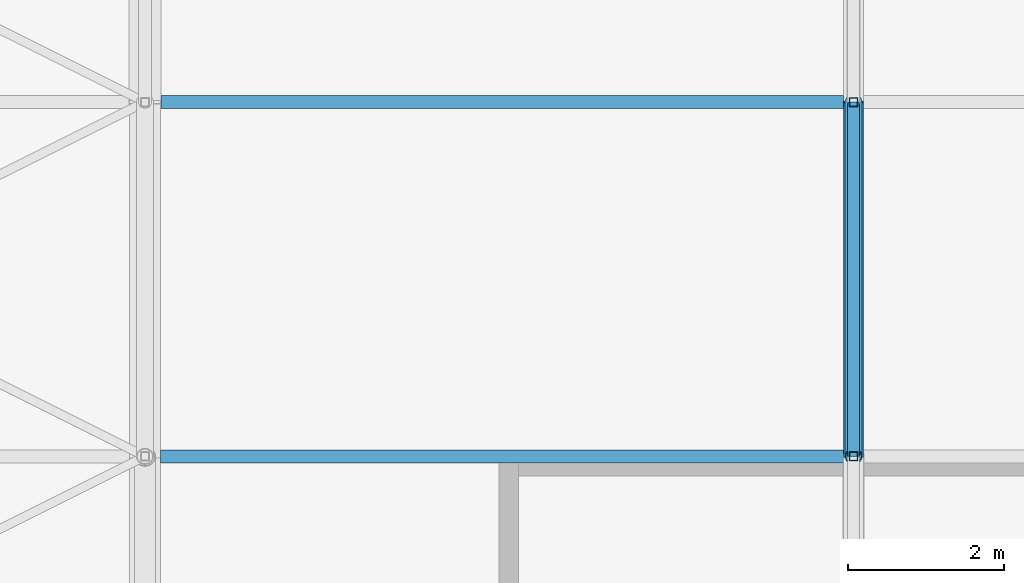
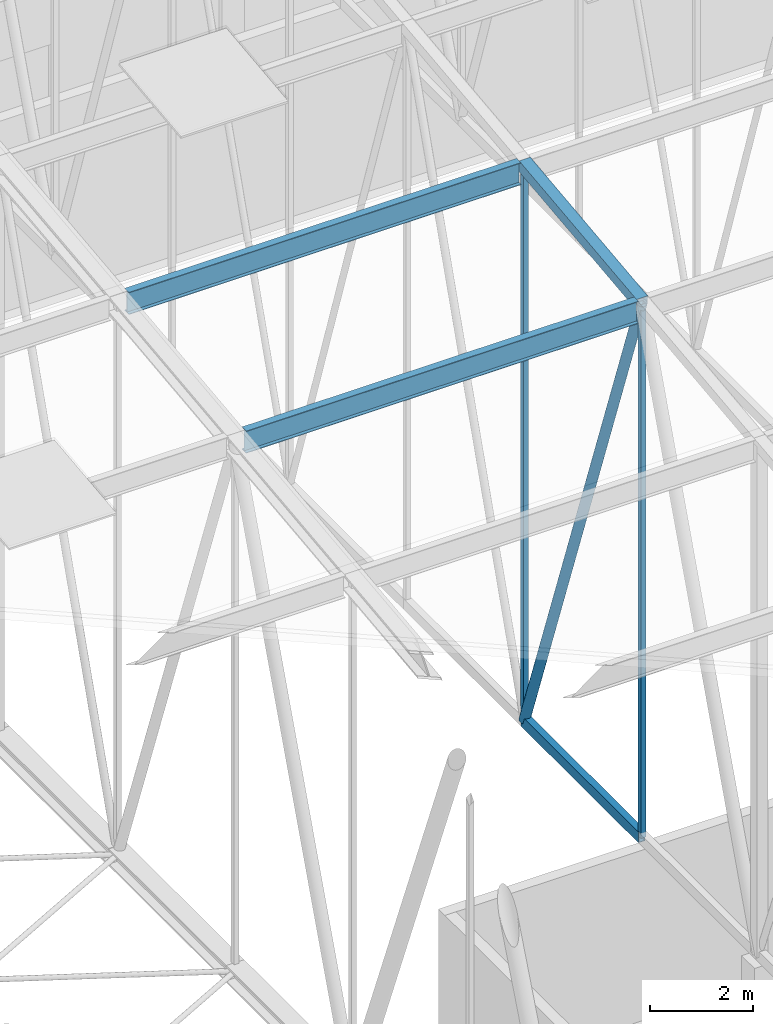
# One storey, part 161 of 500: 7 members.
"""IFC4 building model written with IfcOpenShell, lengths in metres."""

from ifc_helpers import new_model, si_unit, direction, frame, origin, origin_2d, place, context, subcontext, project, spatial, hollow_rectangle, hollow_circle, i_section, extrude, material, material_profile, profile_set, type_object, element, save


model = new_model("IFC4")

# Units and contexts
model_context = context("Model", 3, precision=1e-05, world=origin(), true_north=direction((0.0, 1.0)))
body_context = subcontext(model_context, "Body", "Model", "MODEL_VIEW")
ifc_project = project(units=[si_unit("LENGTHUNIT", "METRE"), si_unit("AREAUNIT", "SQUARE_METRE"), si_unit("VOLUMEUNIT", "CUBIC_METRE"), si_unit("PLANEANGLEUNIT", "RADIAN"), si_unit("MASSUNIT", "GRAM", prefix="KILO")], contexts=[model_context])

# Site, building, storey
site_placement = place(None, origin())
site = spatial("IfcSite", under=ifc_project, at=site_placement, CompositionType="ELEMENT")
building_placement = place(site_placement, origin())
building = spatial("IfcBuilding", under=site, at=building_placement, Name="Shirokan Park Arena", CompositionType="ELEMENT")
storey_placement = place(building_placement, frame((0.0, 0.0, 29.1201171875)))
storey = spatial("IfcBuildingStorey", under=building, at=storey_placement, Name="L06", CompositionType="ELEMENT", Elevation=29.1201171875)

# Members
ifc_material_1 = material(Name="Steel ASTM A500 Grade C", Category="steel")
ifc_material_profile_1 = material_profile(ifc_material_1, hollow_rectangle(XDim=0.152099609375, YDim=0.25390625, WallThickness=0.009521484375, at=origin_2d()), Name="HSS254X152.4X9.5")
ifc_profile_set_1 = profile_set([ifc_material_profile_1], Name="Steel ASTM A500 Grade C")
member_type_1 = type_object("IfcMemberType", Name="Bottom chord HSS254X152.4X9.5", PredefinedType="CHORD", material=ifc_profile_set_1)
member_1_placement = place(storey_placement, frame((109.199951171875, 40.949951171875, 4.677001953125), z_axis=(0.0, 1.0, 0.0), x_axis=(-1.0, 0.0, 0.0)))
element("IfcMember", 1, at=member_1_placement, inside=storey, type_object=member_type_1, Name="Truss T13 bottom chord 12", PredefinedType="CHORD", context=body_context, shape_type="SweptSolid", body=[
    extrude(hollow_rectangle(XDim=0.152099609375, YDim=0.25390625, WallThickness=0.009521484375, at=origin_2d()), origin(), (0.0, 0.0, 1.0), 4.550048828125),
])
ifc_material_2 = material(Name="Steel ASTM A992", Category="steel")
ifc_material_profile_2 = material_profile(ifc_material_2, i_section(OverallWidth=0.166015625, OverallDepth=0.528076171875, WebThickness=0.009765625, FlangeThickness=0.013671875, at=origin_2d()), Name="W530X74")
ifc_profile_set_2 = profile_set([ifc_material_profile_2], Name="Steel ASTM A992")
member_type_2 = type_object("IfcMemberType", Name="Purlin W530X74", PredefinedType="PURLIN", material=ifc_profile_set_2)
member_2_placement = place(storey_placement, frame((100.300537109375, 40.949951171875, 17.165771484375), z_axis=(1.0, 0.0, 0.0), x_axis=(0.0, 1.0, 0.0)))
element("IfcMember", 2, at=member_2_placement, inside=storey, type_object=member_type_2, Name="Purlin 12 bay 12", PredefinedType="PURLIN", context=body_context, shape_type="SweptSolid", body=[
    extrude(i_section(OverallWidth=0.166015625, OverallDepth=0.528076171875, WebThickness=0.009765625, FlangeThickness=0.013671875, at=origin_2d()), origin(), (0.0, 0.0, 1.0), 8.7724609375),
])
member_3_placement = place(storey_placement, frame((100.302978515625, 45.5, 17.685791015625), z_axis=(1.0, 0.0, 0.0), x_axis=(0.0, 1.0, 0.0)))
element("IfcMember", 3, at=member_3_placement, inside=storey, type_object=member_type_2, Name="Purlin 13 bay 12", PredefinedType="PURLIN", context=body_context, shape_type="SweptSolid", body=[
    extrude(i_section(OverallWidth=0.166015625, OverallDepth=0.528076171875, WebThickness=0.009765625, FlangeThickness=0.013671875, at=origin_2d()), origin(), (0.0, 0.0, 1.0), 8.77001953125),
])
ifc_material_profile_3 = material_profile(ifc_material_1, hollow_rectangle(XDim=0.25390625, YDim=0.25390625, WallThickness=0.009521484375, at=origin_2d()), Name="HSS254X254X9.5")
ifc_profile_set_3 = profile_set([ifc_material_profile_3], Name="Steel ASTM A500 Grade C")
member_type_3 = type_object("IfcMemberType", Name="Top chord HSS254X254X9.5", PredefinedType="CHORD", material=ifc_profile_set_3)
member_4_placement = place(storey_placement, frame((109.199951171875, 40.949951171875, 17.302978515625), z_axis=(0.0, 0.993532328996, 0.113549598152), x_axis=(-1.0, 0.0, 0.0)))
element("IfcMember", 4, at=member_4_placement, inside=storey, type_object=member_type_3, Name="Truss T13 top chord 12", PredefinedType="CHORD", context=body_context, shape_type="SweptSolid", body=[
    extrude(hollow_rectangle(XDim=0.25390625, YDim=0.25390625, WallThickness=0.009521484375, at=origin_2d()), origin(), (0.0, 0.0, 1.0), 4.57958984375),
])
ifc_material_profile_4 = material_profile(ifc_material_1, hollow_circle(Radius=0.109619140625, WallThickness=0.009521484375, at=origin_2d()), Name="HSS219.1X9.5")
ifc_profile_set_4 = profile_set([ifc_material_profile_4], Name="Steel ASTM A500 Grade C")
member_type_4 = type_object("IfcMemberType", Name="Truss diagonal HSS219.1X9.5", PredefinedType="BRACE", material=ifc_profile_set_4)
member_5_placement = place(storey_placement, frame((109.199951171875, 40.949951171875, 17.302978515625), z_axis=(0.0, 0.339029292845, -0.940775817394), x_axis=(-1.0, 0.0, 0.0)))
element("IfcMember", 5, at=member_5_placement, inside=storey, type_object=member_type_4, Name="Truss T13 diagonal 12", PredefinedType="BRACE", context=body_context, shape_type="SweptSolid", body=[
    extrude(hollow_circle(Radius=0.109619140625, WallThickness=0.009521484375, at=origin_2d()), origin(), (0.0, 0.0, 1.0), 13.4208984375),
])
ifc_material_profile_5 = material_profile(ifc_material_1, hollow_rectangle(XDim=0.114013671875, YDim=0.114013671875, WallThickness=0.00634765625, at=origin_2d()), Name="HSS114.3X114.3X6.4")
ifc_profile_set_5 = profile_set([ifc_material_profile_5], Name="Steel ASTM A500 Grade C")
member_type_5 = type_object("IfcMemberType", Name="Truss post HSS114.3X114.3X6.4", PredefinedType="POST", material=ifc_profile_set_5)
member_6_placement = place(storey_placement, frame((109.199951171875, 40.949951171875, 4.677001953125), z_axis=(0.0, 0.0, 1.0), x_axis=(1.0, 0.0, 0.0)))
element("IfcMember", 6, at=member_6_placement, inside=storey, type_object=member_type_5, Name="Truss T13 post 12", PredefinedType="POST", context=body_context, shape_type="SweptSolid", body=[
    extrude(hollow_rectangle(XDim=0.114013671875, YDim=0.114013671875, WallThickness=0.00634765625, at=origin_2d()), origin(), (0.0, 0.0, 1.0), 12.6259765625),
])
member_7_placement = place(storey_placement, frame((109.199951171875, 45.5, 4.677001953125), z_axis=(0.0, 0.0, 1.0), x_axis=(1.0, 0.0, 0.0)))
element("IfcMember", 7, at=member_7_placement, inside=storey, type_object=member_type_5, Name="Truss T13 post 13", PredefinedType="POST", context=body_context, shape_type="SweptSolid", body=[
    extrude(hollow_rectangle(XDim=0.114013671875, YDim=0.114013671875, WallThickness=0.00634765625, at=origin_2d()), origin(), (0.0, 0.0, 1.0), 13.14599609375),
])

save(model, "model.ifc")
